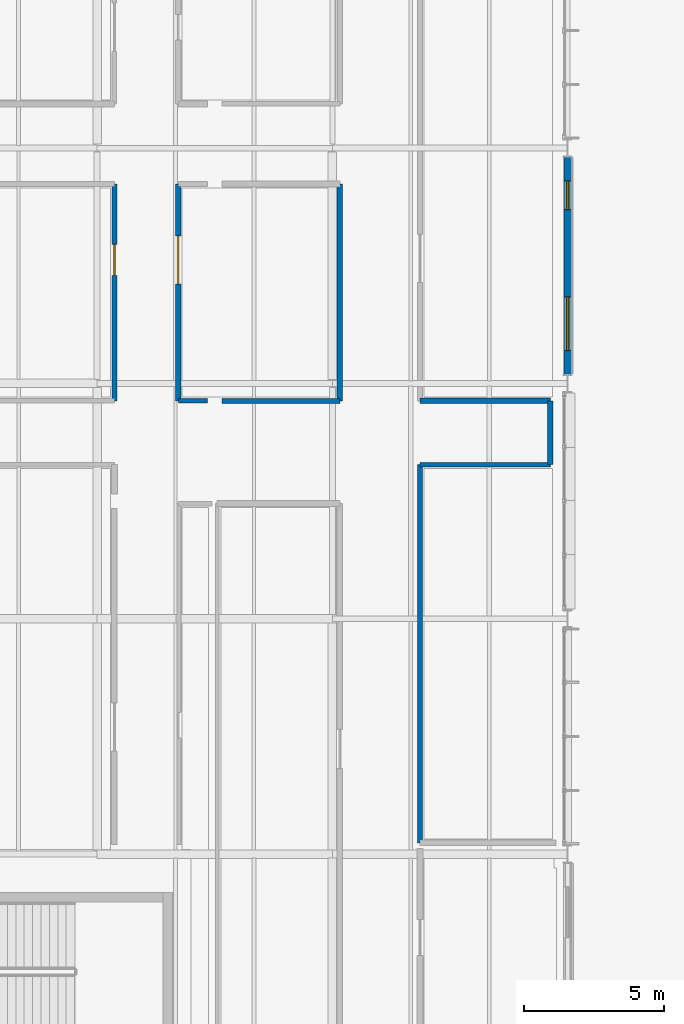
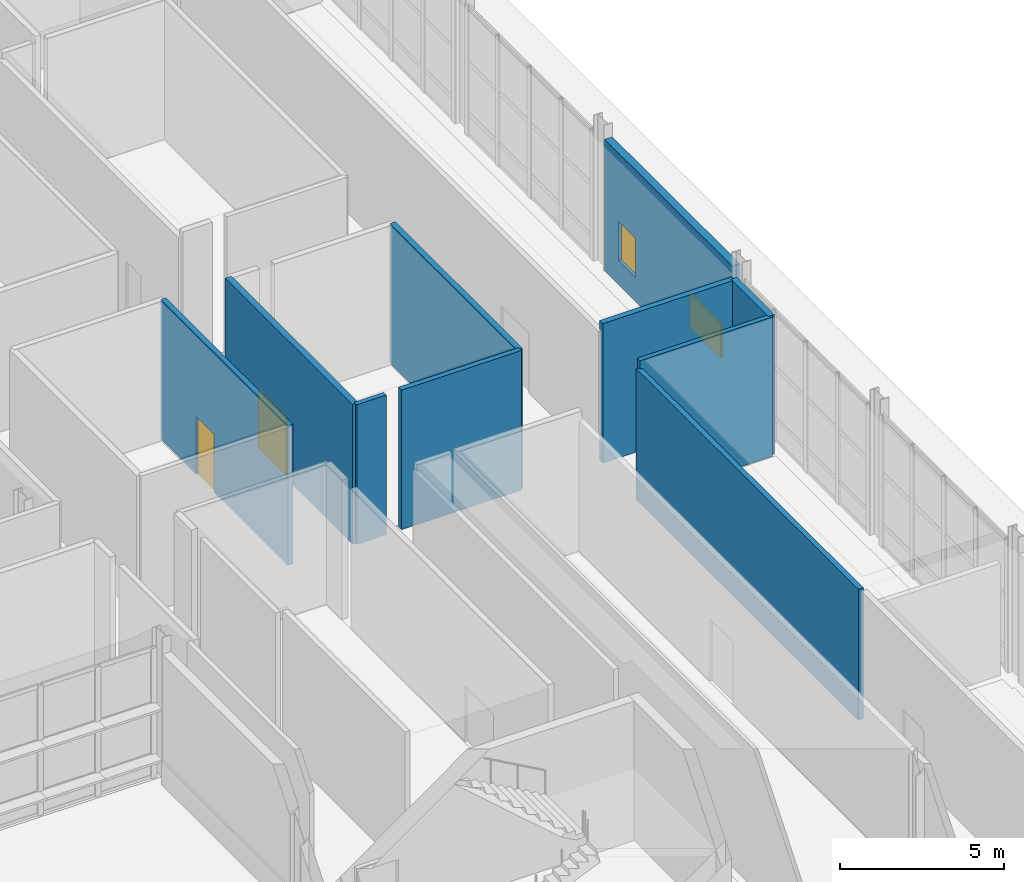
# One storey, part 87 of 124: 10 walls, 2 doors, 2 windows, 4 openings.
"""IFC4 building model written with IfcOpenShell, lengths in metres."""

from ifc_helpers import new_model, si_unit, direction, frame, frame_2d, origin, place, context, subcontext, project, spatial, rectangle, extrude, material, layer, layer_set, type_object, element, fill, save


model = new_model("IFC4")

# Units and contexts
model_context = context("Model", 3, precision=1e-05, world=origin(), true_north=direction((0.0, 1.0)))
body_context = subcontext(model_context, "Body", "Model", "MODEL_VIEW")
ifc_project = project(units=[si_unit("LENGTHUNIT", "METRE"), si_unit("AREAUNIT", "SQUARE_METRE"), si_unit("VOLUMEUNIT", "CUBIC_METRE"), si_unit("PLANEANGLEUNIT", "RADIAN"), si_unit("MASSUNIT", "GRAM", prefix="KILO")], contexts=[model_context])

# Site, building, storey
site_placement = place(None, origin())
site = spatial("IfcSite", under=ifc_project, at=site_placement, CompositionType="ELEMENT")
building_placement = place(site_placement, origin())
building = spatial("IfcBuilding", under=site, at=building_placement, Name="Mersafa Astral City Hall", CompositionType="ELEMENT")
storey_placement = place(building_placement, origin())
storey = spatial("IfcBuildingStorey", under=building, at=storey_placement, Name="L00", CompositionType="ELEMENT", Elevation=0.0)

# Wall, openings, windows
ifc_material_1 = material(Name="Precast concrete C40/50 insulated limestone wall", Category="masonry")
ifc_layer_1 = layer(ifc_material_1, 0.264892578125, Name="Precast concrete C40/50 insulated limestone wall")
ifc_layer_set_1 = layer_set([ifc_layer_1], Name="Precast concrete C40/50 insulated limestone wall — ENV-WAL-EXT-265")
wall_type_1 = type_object("IfcWallType", Name="ENV-WAL-EXT-265", PredefinedType="STANDARD", material=ifc_layer_set_1)
wall_1_placement = place(storey_placement, frame((117.60009765625, 59.12109375, 0.0), z_axis=(0.0, 0.0, 1.0), x_axis=(0.0, 1.0, 0.0)))
wall_1 = element("IfcWall", 1, at=wall_1_placement, inside=storey, type_object=wall_type_1, Name="L00 Limestone-clad exterior wall 21", PredefinedType="STANDARD", context=body_context, shape_type="SweptSolid", body=[
    extrude(rectangle(XDim=7.7578125, YDim=0.264892578125, at=frame_2d((3.87890625, 0.0))), origin(), (0.0, 0.0, 1.0), 4.886962890625),
])
opening_1_placement = place(wall_1_placement, frame((0.85009765625, 0.0, 0.89990234375)))
opening_1 = element("IfcOpeningElement", 2, at=opening_1_placement, cuts=wall_1, Name="Opening W-20", PredefinedType="OPENING", context=body_context, shape_type="SweptSolid", body=[
    extrude(rectangle(XDim=1.919921875, YDim=1.25, at=frame_2d((0.9599609375, 0.625))), frame((0.0, 0.142333984375, 0.0), z_axis=(0.0, -1.0, 0.0), x_axis=(1.0, 0.0, 0.0)), (0.0, 0.0, 1.0), 0.284912109375),
])
opening_2_placement = place(wall_1_placement, frame((5.887939453125, 0.0, 0.89990234375)))
opening_2 = element("IfcOpeningElement", 3, at=opening_2_placement, cuts=wall_1, Name="Opening W-21", PredefinedType="OPENING", context=body_context, shape_type="SweptSolid", body=[
    extrude(rectangle(XDim=1.02001953125, YDim=1.449951171875, at=frame_2d((0.510009765625, 0.72509765625))), frame((0.0, 0.142333984375, 0.0), z_axis=(0.0, -1.0, 0.0), x_axis=(1.0, 0.0, 0.0)), (0.0, 0.0, 1.0), 0.284912109375),
])
ifc_material_2 = material(Name="Solar control low-e double glazing in bronze frame", Category="glass")
window_type_1 = type_object("IfcWindowType", Name="ENV-WIN-W-20", PartitioningType="SINGLE_PANEL", PredefinedType="WINDOW", material=ifc_material_2)
window_1_placement = place(opening_1_placement, origin())
window_1 = element("IfcWindow", 4, at=window_1_placement, inside=storey, type_object=window_type_1, Name="L00 Solar punched window 21-L", OverallHeight=1.25, OverallWidth=1.919921875, PartitioningType="SINGLE_PANEL", PredefinedType="WINDOW", context=body_context, shape_type="SweptSolid", body=[
    extrude(rectangle(XDim=1.919921875, YDim=1.25, at=frame_2d((0.9599609375, 0.625))), frame((0.0, 0.030029296875, 0.0), z_axis=(0.0, -1.0, 0.0), x_axis=(1.0, 0.0, 0.0)), (0.0, 0.0, 1.0), 0.06005859375),
])
fill(opening_1, window_1)
window_type_2 = type_object("IfcWindowType", Name="ENV-WIN-W-21", PartitioningType="SINGLE_PANEL", PredefinedType="WINDOW", material=ifc_material_2)
window_2_placement = place(opening_2_placement, origin())
window_2 = element("IfcWindow", 5, at=window_2_placement, inside=storey, type_object=window_type_2, Name="L00 Solar punched window 21-R", OverallHeight=1.449951171875, OverallWidth=1.02001953125, PartitioningType="SINGLE_PANEL", PredefinedType="WINDOW", context=body_context, shape_type="SweptSolid", body=[
    extrude(rectangle(XDim=1.02001953125, YDim=1.449951171875, at=frame_2d((0.510009765625, 0.72509765625))), frame((0.0, 0.030029296875, 0.0), z_axis=(0.0, -1.0, 0.0), x_axis=(1.0, 0.0, 0.0)), (0.0, 0.0, 1.0), 0.06005859375),
])
fill(opening_2, window_2)

# Walls
ifc_material_3 = material(Name="Fire-rated gypsum stud partition", Category="gypsum")
ifc_layer_2 = layer(ifc_material_3, 0.1650390625, Name="Fire-rated gypsum stud partition")
ifc_layer_set_2 = layer_set([ifc_layer_2], Name="Fire-rated gypsum stud partition — INT-WAL-PART-EI60-165")
wall_type_2 = type_object("IfcWallType", Name="INT-WAL-PART-EI60-165", PredefinedType="STANDARD", material=ifc_layer_set_2)
wall_2_placement = place(storey_placement, frame((112.330078125, 55.89990234375, -0.00390625), z_axis=(0.0, 0.0, 1.0), x_axis=(1.0, 0.0, 0.0)))
element("IfcWall", 6, at=wall_2_placement, inside=storey, type_object=wall_type_2, Name="L00 Interior partition wall 111", PredefinedType="STANDARD", context=body_context, shape_type="SweptSolid", body=[
    extrude(rectangle(XDim=4.64990234375, YDim=0.1650390625, at=frame_2d((2.324951171875, 0.0))), origin(), (0.0, 0.0, 1.0), 5.178955078125),
])
wall_3_placement = place(storey_placement, frame((104.739990234375, 58.179931640625, -0.00390625), z_axis=(0.0, 0.0, 1.0), x_axis=(-1.0, 0.0, 0.0)))
element("IfcWall", 7, at=wall_3_placement, inside=storey, type_object=wall_type_2, Name="L00 Interior partition wall 243", PredefinedType="STANDARD", context=body_context, shape_type="SweptSolid", body=[
    extrude(rectangle(XDim=1.0400390625, YDim=0.1650390625, at=frame_2d((0.52001953125, 0.0))), origin(), (0.0, 0.0, 1.0), 5.178955078125),
])
ifc_material_4 = material(Name="Acoustic twin-stud gypsum partition", Category="gypsum")
ifc_layer_3 = layer(ifc_material_4, 0.179931640625, Name="Acoustic twin-stud gypsum partition")
ifc_layer_set_3 = layer_set([ifc_layer_3], Name="Acoustic twin-stud gypsum partition — INT-WAL-PART-EI60-180")
wall_type_3 = type_object("IfcWallType", Name="INT-WAL-PART-EI60-180", PredefinedType="STANDARD", material=ifc_layer_set_3)
wall_4_placement = place(storey_placement, frame((112.330078125, 42.39990234375, -0.00390625), z_axis=(0.0, 0.0, 1.0), x_axis=(0.0, 1.0, 0.0)))
element("IfcWall", 8, at=wall_4_placement, inside=storey, type_object=wall_type_3, Name="L00 Interior partition wall 110", PredefinedType="STANDARD", context=body_context, shape_type="SweptSolid", body=[
    extrude(rectangle(XDim=13.5, YDim=0.179931640625, at=frame_2d((6.75, 0.0))), origin(), (0.0, 0.0, 1.0), 4.86083984375),
])

# Wall, opening, door
wall_5_placement = place(storey_placement, frame((101.419921875, 65.919921875, -0.00390625), z_axis=(0.0, 0.0, 1.0), x_axis=(0.0, -1.0, 0.0)))
wall_5 = element("IfcWall", 9, at=wall_5_placement, inside=storey, type_object=wall_type_3, Name="L00 Interior partition wall 218", PredefinedType="STANDARD", context=body_context, shape_type="SweptSolid", body=[
    extrude(rectangle(XDim=7.739990234375, YDim=0.179931640625, at=frame_2d((3.8701171875, 0.0))), origin(), (0.0, 0.0, 1.0), 5.178955078125),
])
opening_3_placement = place(wall_5_placement, frame((2.158935546875, 0.0, 0.0)))
opening_3 = element("IfcOpeningElement", 10, at=opening_3_placement, cuts=wall_5, Name="Opening D-13", PredefinedType="OPENING", context=body_context, shape_type="SweptSolid", body=[
    extrude(rectangle(XDim=1.10009765625, YDim=2.139892578125, at=frame_2d((0.550048828125, 1.06982421875))), frame((0.0, 0.099853515625, 0.0), z_axis=(0.0, -1.0, 0.0), x_axis=(1.0, 0.0, 0.0)), (0.0, 0.0, 1.0), 0.199951171875),
])
ifc_material_5 = material(Name="Cedar veneered acoustic fire-rated timber door", Category="wood")
door_type_1 = type_object("IfcDoorType", Name="INT-DR-RM-D-13", OperationType="NOTDEFINED", PredefinedType="DOOR", material=ifc_material_5)
door_1_placement = place(opening_3_placement, origin())
door_1 = element("IfcDoor", 11, at=door_1_placement, inside=storey, type_object=door_type_1, Name="L00 Public Hearings Auditorium L00-23 Entrance Door", OperationType="SINGLE_SWING_LEFT", OverallHeight=2.139892578125, OverallWidth=1.10009765625, PredefinedType="DOOR", context=body_context, shape_type="SweptSolid", body=[
    extrude(rectangle(XDim=1.10009765625, YDim=2.139892578125, at=frame_2d((0.550048828125, 1.06982421875))), frame((0.0, 0.02490234375, 0.0), z_axis=(0.0, -1.0, 0.0), x_axis=(1.0, 0.0, 0.0)), (0.0, 0.0, 1.0), 0.050048828125),
])
fill(opening_3, door_1)

# Walls
wall_6_placement = place(storey_placement, frame((109.469970703125, 58.179931640625, -0.00390625), z_axis=(0.0, 0.0, 1.0), x_axis=(-1.0, 0.0, 0.0)))
element("IfcWall", 12, at=wall_6_placement, inside=storey, type_object=wall_type_3, Name="L00 Interior partition wall 242", PredefinedType="STANDARD", context=body_context, shape_type="SweptSolid", body=[
    extrude(rectangle(XDim=4.2099609375, YDim=0.179931640625, at=frame_2d((2.10498046875, 0.0))), origin(), (0.0, 0.0, 1.0), 5.178955078125),
])
ifc_layer_4 = layer(ifc_material_4, 0.195068359375, Name="Acoustic twin-stud gypsum partition")
ifc_layer_set_4 = layer_set([ifc_layer_4], Name="Acoustic twin-stud gypsum partition — INT-WAL-PART-EI60-195")
wall_type_4 = type_object("IfcWallType", Name="INT-WAL-PART-EI60-195", PredefinedType="STANDARD", material=ifc_layer_set_4)
wall_7_placement = place(storey_placement, frame((116.97998046875, 58.179931640625, -0.00390625), z_axis=(0.0, 0.0, 1.0), x_axis=(-1.0, 0.0, 0.0)))
element("IfcWall", 13, at=wall_7_placement, inside=storey, type_object=wall_type_4, Name="L00 Interior partition wall 113", PredefinedType="STANDARD", context=body_context, shape_type="SweptSolid", body=[
    extrude(rectangle(XDim=4.64990234375, YDim=0.195068359375, at=frame_2d((2.324951171875, 0.0))), origin(), (0.0, 0.0, 1.0), 5.178955078125),
])
wall_8_placement = place(storey_placement, frame((109.469970703125, 65.919921875, -0.00390625), z_axis=(0.0, 0.0, 1.0), x_axis=(0.0, -1.0, 0.0)))
element("IfcWall", 14, at=wall_8_placement, inside=storey, type_object=wall_type_4, Name="L00 Interior partition wall 241", PredefinedType="STANDARD", context=body_context, shape_type="SweptSolid", body=[
    extrude(rectangle(XDim=7.739990234375, YDim=0.195068359375, at=frame_2d((3.8701171875, 0.0))), origin(), (0.0, 0.0, 1.0), 5.178955078125),
])
ifc_material_6 = material(Name="Autoclaved aerated concrete blockwork plastered", Category="masonry")
ifc_layer_5 = layer(ifc_material_6, 0.2099609375, Name="Autoclaved aerated concrete blockwork plastered")
ifc_layer_set_5 = layer_set([ifc_layer_5], Name="Autoclaved aerated concrete blockwork plastered — INT-WAL-PART-EI60-210")
wall_type_5 = type_object("IfcWallType", Name="INT-WAL-PART-EI60-210", PredefinedType="STANDARD", material=ifc_layer_set_5)
wall_9_placement = place(storey_placement, frame((116.97998046875, 55.89990234375, -0.00390625), z_axis=(0.0, 0.0, 1.0), x_axis=(0.0, 1.0, 0.0)))
element("IfcWall", 15, at=wall_9_placement, inside=storey, type_object=wall_type_5, Name="L00 Interior partition wall 112", PredefinedType="STANDARD", context=body_context, shape_type="SweptSolid", body=[
    extrude(rectangle(XDim=2.280029296875, YDim=0.2099609375, at=frame_2d((1.14013671875, 0.0))), origin(), (0.0, 0.0, 1.0), 5.178955078125),
])

# Wall, opening, door
wall_10_placement = place(storey_placement, frame((103.699951171875, 58.179931640625, -0.00390625), z_axis=(0.0, 0.0, 1.0), x_axis=(0.0, 1.0, 0.0)))
wall_10 = element("IfcWall", 16, at=wall_10_placement, inside=storey, type_object=wall_type_5, Name="L00 Interior partition wall 244", PredefinedType="STANDARD", context=body_context, shape_type="SweptSolid", body=[
    extrude(rectangle(XDim=7.739990234375, YDim=0.2099609375, at=frame_2d((3.8701171875, 0.0))), origin(), (0.0, 0.0, 1.0), 5.178955078125),
])
opening_4_placement = place(wall_10_placement, frame((4.1708984375, 0.0, 0.0)))
opening_4 = element("IfcOpeningElement", 17, at=opening_4_placement, cuts=wall_10, Name="Opening D-18", PredefinedType="OPENING", context=body_context, shape_type="SweptSolid", body=[
    extrude(rectangle(XDim=1.719970703125, YDim=2.139892578125, at=frame_2d((0.85986328125, 1.06982421875))), frame((0.0, 0.114990234375, 0.0), z_axis=(0.0, -1.0, 0.0), x_axis=(1.0, 0.0, 0.0)), (0.0, 0.0, 1.0), 0.22998046875),
])
door_type_2 = type_object("IfcDoorType", Name="INT-DR-RM-D-18", OperationType="NOTDEFINED", PredefinedType="DOOR", material=ifc_material_5)
door_2_placement = place(opening_4_placement, origin())
door_2 = element("IfcDoor", 18, at=door_2_placement, inside=storey, type_object=door_type_2, Name="L00 Press & Media Accreditation Room L00-28 Entrance Door", OperationType="SINGLE_SWING_RIGHT", OverallHeight=2.139892578125, OverallWidth=1.719970703125, PredefinedType="DOOR", context=body_context, shape_type="SweptSolid", body=[
    extrude(rectangle(XDim=1.719970703125, YDim=2.139892578125, at=frame_2d((0.85986328125, 1.06982421875))), frame((0.0, 0.02490234375, 0.0), z_axis=(0.0, -1.0, 0.0), x_axis=(1.0, 0.0, 0.0)), (0.0, 0.0, 1.0), 0.050048828125),
])
fill(opening_4, door_2)

save(model, "model.ifc")
